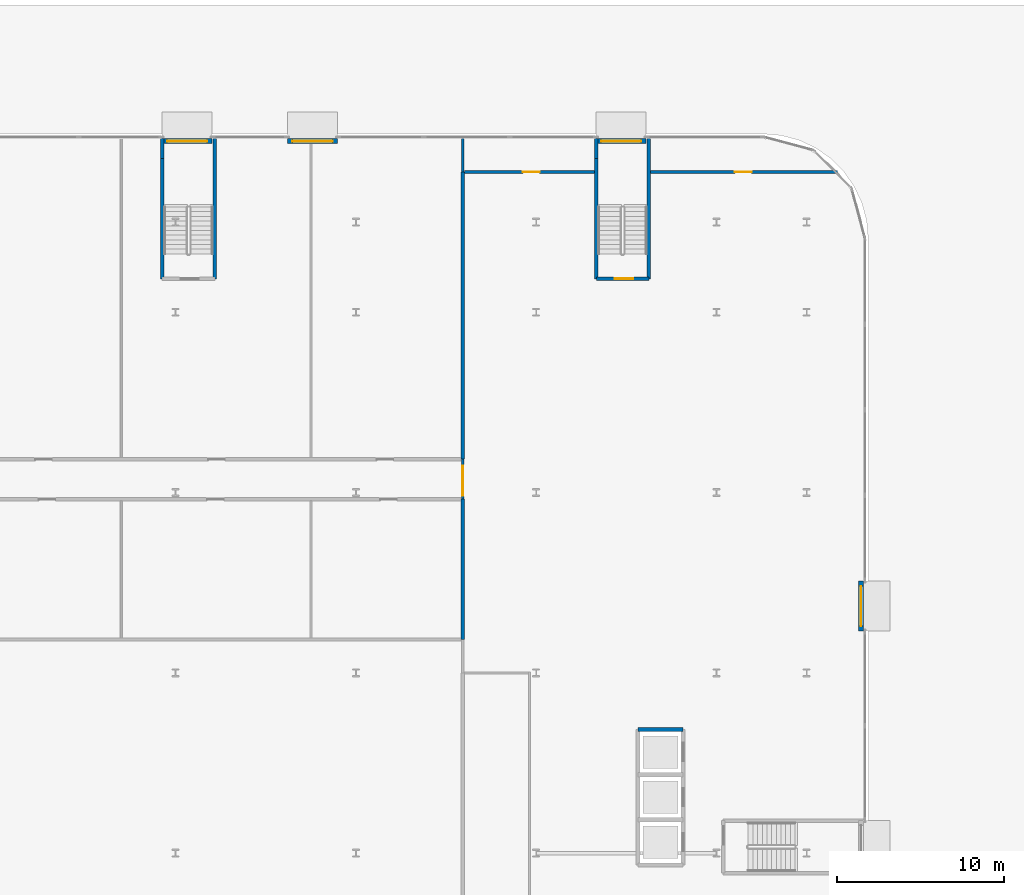
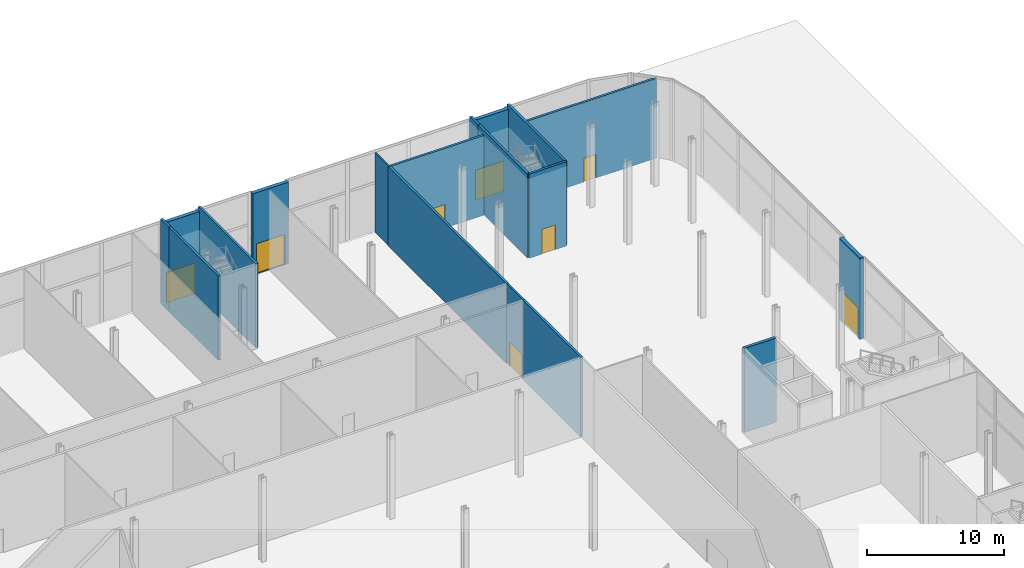
# One storey, part 32 of 46: 18 walls, 8 doors, 8 openings.
"""IFC4 building model written with IfcOpenShell, lengths in metres."""

import ifcopenshell
import ifcopenshell.guid

model = None  # the IFC model being written
_history = None  # IfcOwnerHistory: only IFC2X3 demands one
_inside = {}  # id of a spatial element -> (the spatial element, [elements in it])
_under = {}  # id of a project, library or spatial element -> (it, [spatial elements below it])
_declared = {}  # id of a project -> (the project, [libraries it declares])
_typed = {}  # id of a type object -> (the type object, [elements of that type])
_made_of = {}  # id of a material, layer set ... -> (it, [elements and type objects made of it])


def new_model(schema):
    """Start an empty IFC model of exactly this schema.

    Asked for "IFC4X3", IfcOpenShell would pick the latest addendum, in which some entities
    have other attributes; the version numbers below select the first issue.
    IFC2X3 requires an IfcOwnerHistory on every rooted entity: one is made here for all.
    """
    global model, _history
    if schema == "IFC4X3":
        model = ifcopenshell.file(schema_version=(4, 3, 0, 0))
    else:
        model = ifcopenshell.file(schema=schema)
    _inside.clear()
    _under.clear()
    _declared.clear()
    _typed.clear()
    _made_of.clear()
    _history = None
    if model.schema == "IFC2X3":
        org = make("IfcOrganization", Name="unknown")
        user = make(
            "IfcPersonAndOrganization",
            ThePerson=make("IfcPerson", FamilyName="unknown"),
            TheOrganization=org,
        )
        app = make(
            "IfcApplication",
            ApplicationDeveloper=org,
            Version="unknown",
            ApplicationFullName="unknown",
            ApplicationIdentifier="unknown",
        )
        _history = make(
            "IfcOwnerHistory",
            OwningUser=user,
            OwningApplication=app,
            ChangeAction="ADDED",
            CreationDate=0,
        )
    return model


def make(cls, **values):
    """One entity of the class cls with the attributes given. An attribute that is None is left unset."""
    return model.create_entity(
        cls, **{name: value for name, value in values.items() if value is not None}
    )


def rooted(cls, **values):
    """An entity with a GlobalId (a new one), such as an element, a storey or a relation."""
    return make(cls, GlobalId=ifcopenshell.guid.new(), OwnerHistory=_history, **values)


def si_unit(unit_type, name, prefix=None):
    """IfcSIUnit, for example si_unit("LENGTHUNIT", "METRE", prefix="MILLI")."""
    return make("IfcSIUnit", UnitType=unit_type, Prefix=prefix, Name=name)


def assignment(units):
    """IfcUnitAssignment: the units of a project."""
    return None if units is None else make("IfcUnitAssignment", Units=units)


def point(xyz):
    """IfcCartesianPoint."""
    return None if xyz is None else make("IfcCartesianPoint", Coordinates=xyz)


def direction(xyz):
    """IfcDirection."""
    return None if xyz is None else make("IfcDirection", DirectionRatios=xyz)


def frame(location, z_axis=None, x_axis=None):
    """IfcAxis2Placement3D, a coordinate frame: its origin and axes. An axis left out is left unset."""
    return make(
        "IfcAxis2Placement3D",
        Location=point(location),
        Axis=direction(z_axis),
        RefDirection=direction(x_axis),
    )


def frame_2d(location, x_axis=None):
    """IfcAxis2Placement2D, a coordinate frame in the plane: its origin and x axis."""
    return make(
        "IfcAxis2Placement2D", Location=point(location), RefDirection=direction(x_axis)
    )


def origin():
    """The frame at (0, 0, 0) with its axes left unset."""
    return frame((0.0, 0.0, 0.0))


def place(relative_to, where):
    """IfcLocalPlacement: puts the frame where relative to a parent placement (None: the world)."""
    return make(
        "IfcLocalPlacement", PlacementRelTo=relative_to, RelativePlacement=where
    )


def context(
    kind, dimensions, precision=None, world=None, true_north=None, identifier=None
):
    """IfcGeometricRepresentationContext, for example the 3D "Model" context."""
    return make(
        "IfcGeometricRepresentationContext",
        ContextIdentifier=identifier,
        ContextType=kind,
        CoordinateSpaceDimension=dimensions,
        Precision=precision,
        WorldCoordinateSystem=world,
        TrueNorth=true_north,
    )


def subcontext(parent, identifier, kind, view, scale=None):
    """IfcGeometricRepresentationSubContext, for example "Body" below "Model"."""
    return make(
        "IfcGeometricRepresentationSubContext",
        ContextIdentifier=identifier,
        ContextType=kind,
        ParentContext=parent,
        TargetScale=scale,
        TargetView=view,
    )


def project(units=None, contexts=None):
    """IfcProject with its units and contexts."""
    return rooted(
        "IfcProject",
        Name="project",
        RepresentationContexts=contexts,
        UnitsInContext=assignment(units),
    )


def spatial(cls, under=None, at=None, **own):
    """A site, building, storey or space (cls), placed at a placement, below another one or the project."""
    s = rooted(cls, ObjectPlacement=at, **own)
    if under is not None:
        _under.setdefault(under.id(), (under, []))[1].append(s)
    return s


def profile(cls, at=None, kind="AREA", **sizes):
    """A parametric profile (cls). Its sizes go by their IFC names, for example OverallWidth=200.0."""
    return make(cls, ProfileType=kind, Position=at, **sizes)


def rectangle(**sizes):
    """IfcRectangleProfileDef."""
    return profile("IfcRectangleProfileDef", **sizes)


def extrude(swept, where, along, depth):
    """IfcExtrudedAreaSolid: the profile swept, set in the frame where, extruded along a direction by depth."""
    return make(
        "IfcExtrudedAreaSolid",
        SweptArea=swept,
        Position=where,
        ExtrudedDirection=direction(along),
        Depth=depth,
    )


def shape(context_of_items, identifier, shape_type, items):
    """IfcShapeRepresentation: the items that make up one representation, for example the "Body"."""
    return make(
        "IfcShapeRepresentation",
        ContextOfItems=context_of_items,
        RepresentationIdentifier=identifier,
        RepresentationType=shape_type,
        Items=items,
    )


def source(mapping_origin, context_of_items, identifier, shape_type, items):
    """IfcRepresentationMap: a shape defined once, which mapped items show again and again."""
    return make(
        "IfcRepresentationMap",
        MappingOrigin=mapping_origin,
        MappedRepresentation=shape(context_of_items, identifier, shape_type, items),
    )


def transform(
    local_origin,
    x_axis=None,
    y_axis=None,
    z_axis=None,
    scale=None,
    scale2=None,
    scale3=None,
    uniform=True,
):
    """IfcCartesianTransformationOperator3D, or its non-uniform kind. x_axis, y_axis, z_axis: its Axis1, 2, 3."""
    if uniform:
        return make(
            "IfcCartesianTransformationOperator3D",
            Axis1=direction(x_axis),
            Axis2=direction(y_axis),
            LocalOrigin=point(local_origin),
            Scale=scale,
            Axis3=direction(z_axis),
        )
    return make(
        "IfcCartesianTransformationOperator3DnonUniform",
        Axis1=direction(x_axis),
        Axis2=direction(y_axis),
        LocalOrigin=point(local_origin),
        Scale=scale,
        Axis3=direction(z_axis),
        Scale2=scale2,
        Scale3=scale3,
    )


def mapped(mapping_source, mapping_target):
    """IfcMappedItem: shows the shape of a source again, moved by a transform."""
    return make(
        "IfcMappedItem", MappingSource=mapping_source, MappingTarget=mapping_target
    )


def material(Name=None, Category=None):
    """IfcMaterial."""
    return make("IfcMaterial", Name=Name, Category=Category)


def layer(
    of_material, thickness, ventilated=None, Name=None, Category=None, Priority=None
):
    """IfcMaterialLayer: one layer of a wall or slab, of a material (None: an air gap)."""
    return make(
        "IfcMaterialLayer",
        Material=of_material,
        LayerThickness=thickness,
        IsVentilated=ventilated,
        Name=Name,
        Category=Category,
        Priority=Priority,
    )


def layer_set(layers, Name=None):
    """IfcMaterialLayerSet."""
    return make("IfcMaterialLayerSet", MaterialLayers=layers, LayerSetName=Name)


def made_of(thing, what):
    """Note that an element or type object is made of a material, layer set ...; save() writes the relation."""
    if what is not None:
        _made_of.setdefault(what.id(), (what, []))[1].append(thing)
    return thing


def type_object(cls, material=None, **own):
    """A type object (cls), such as IfcWallType, which elements share."""
    return made_of(rooted(cls, **own), material)


def element(
    cls,
    number,
    at=None,
    inside=None,
    cuts=None,
    type_object=None,
    material=None,
    context=None,
    identifier="Body",
    shape_type=None,
    held_by="IfcProductDefinitionShape",
    body=None,
    shapes=None,
    **own,
):
    """One element of the class cls, such as IfcWall. Its Tag is "e" and its number.

    at: its placement. inside: the storey or other place that contains it. cuts: it is an
    opening in that element (IfcRelVoidsElement). A single representation is given by context,
    identifier, shape_type and body (its items); several are given by shapes. held_by: the class
    of the entity that holds the representations. save() writes the other relations.
    """
    e = rooted(cls, Tag="e%d" % number, ObjectPlacement=at, **own)
    if body is not None:
        shapes = [shape(context, identifier, shape_type, body)]
    if shapes is not None:
        e.Representation = make(held_by, Representations=shapes)
    if inside is not None:
        _inside.setdefault(inside.id(), (inside, []))[1].append(e)
    if cuts is not None:
        rooted(
            "IfcRelVoidsElement", RelatingBuildingElement=cuts, RelatedOpeningElement=e
        )
    if type_object is not None:
        _typed.setdefault(type_object.id(), (type_object, []))[1].append(e)
    return made_of(e, material)


def fill(opening, filler):
    """IfcRelFillsElement: the door or window that sits in an opening."""
    return rooted(
        "IfcRelFillsElement",
        RelatingOpeningElement=opening,
        RelatedBuildingElement=filler,
    )


def aggregate(whole, parts):
    """IfcRelAggregates: a whole, such as a stair, and the parts it consists of."""
    return rooted("IfcRelAggregates", RelatingObject=whole, RelatedObjects=parts)


def save(model, path):
    """Write the relations noted so far, then the file.

    IfcRelAggregates (storeys below a building ...), IfcRelContainedInSpatialStructure (elements
    in a storey), IfcRelDefinesByType, IfcRelAssociatesMaterial and IfcRelDeclares: one each for
    every whole, place, type object, material and project.
    """
    for whole, parts in _under.values():
        aggregate(whole, parts)
    for where, things in _inside.values():
        rooted(
            "IfcRelContainedInSpatialStructure",
            RelatedElements=things,
            RelatingStructure=where,
        )
    for kind, things in _typed.values():
        rooted("IfcRelDefinesByType", RelatedObjects=things, RelatingType=kind)
    for what, things in _made_of.values():
        rooted("IfcRelAssociatesMaterial", RelatedObjects=things, RelatingMaterial=what)
    for by, libraries in _declared.values():
        rooted("IfcRelDeclares", RelatingContext=by, RelatedDefinitions=libraries)
    model.write(path)


model = new_model("IFC4")

# Units and contexts
model_context = context("Model", 3, precision=1e-05, world=origin(), true_north=direction((0.0, 1.0)))
body_context = subcontext(model_context, "Body", "Model", "MODEL_VIEW")
ifc_project = project(units=[si_unit("LENGTHUNIT", "METRE"), si_unit("AREAUNIT", "SQUARE_METRE"), si_unit("VOLUMEUNIT", "CUBIC_METRE"), si_unit("PLANEANGLEUNIT", "RADIAN"), si_unit("MASSUNIT", "GRAM", prefix="KILO")], contexts=[model_context])

# Site, building, storey
site_placement = place(None, origin())
site = spatial("IfcSite", under=ifc_project, at=site_placement, CompositionType="ELEMENT")
building_placement = place(site_placement, origin())
building = spatial("IfcBuilding", under=site, at=building_placement, Name="Kheshtan School and Residences Tower", CompositionType="ELEMENT")
storey_placement = place(building_placement, origin())
storey = spatial("IfcBuildingStorey", under=building, at=storey_placement, Name="L00", CompositionType="ELEMENT", Elevation=0.0)

# Wall, opening, door
ifc_material_1 = material(Name="Gypsum board on steel studs with mineral wool", Category="steel")
ifc_layer_1 = layer(ifc_material_1, 0.125)
ifc_layer_set_1 = layer_set([ifc_layer_1], Name="Acoustic partition 125")
wall_type_1 = type_object("IfcWallType", Name="Acoustic partition 125", PredefinedType="PARTITIONING", material=ifc_layer_set_1)
wall_1_placement = place(storey_placement, frame((108.0, 88.39990234375, 0.0), z_axis=(0.0, 0.0, 1.0), x_axis=(0.0, 1.0, 0.0)))
wall_1 = element("IfcWall", 1, at=wall_1_placement, inside=storey, type_object=wall_type_1, Name="Partition L00-062", PredefinedType="PARTITIONING", context=body_context, shape_type="SweptSolid", body=[
    extrude(rectangle(XDim=2.400146484375, YDim=0.125, at=frame_2d((1.2001953125, 0.0))), origin(), (0.0, 0.0, 1.0), 7.080078125),
])
opening_1_placement = place(wall_1_placement, frame((0.199951171875, 0.0, 0.0)))
opening_1 = element("IfcOpeningElement", 2, at=opening_1_placement, cuts=wall_1, Name="Opening D00-029", PredefinedType="OPENING", context=body_context, shape_type="SweptSolid", body=[
    extrude(rectangle(XDim=1.800048828125, YDim=2.10009765625, at=frame_2d((0.89990234375, 1.050048828125))), frame((0.0, 0.072509765625, 0.0), z_axis=(0.0, -1.0, 0.0), x_axis=(1.0, 0.0, 0.0)), (0.0, 0.0, 1.0), 0.14501953125),
])
ifc_material_2 = material(Name="Veneered timber door leaf", Category="wood")
door_type_1 = type_object("IfcDoorType", Name="Double door 1800 x 2100", OperationType="DOUBLE_DOOR_SINGLE_SWING", PredefinedType="DOOR", material=ifc_material_2)
shared_shape_1 = source(origin(), body_context, "Body", "SweptSolid", [
    extrude(rectangle(XDim=1.800048828125, YDim=2.10009765625, at=frame_2d((0.89990234375, 1.050048828125))), frame((0.0, 0.02490234375, 0.0), z_axis=(0.0, -1.0, 0.0), x_axis=(1.0, 0.0, 0.0)), (0.0, 0.0, 1.0), 0.050048828125),
])
door_1_placement = place(opening_1_placement, origin())
door_1 = element("IfcDoor", 3, at=door_1_placement, inside=storey, type_object=door_type_1, Name="Door D00-029", OperationType="DOUBLE_DOOR_SINGLE_SWING", OverallHeight=2.10009765625, OverallWidth=1.800048828125, PredefinedType="DOOR", context=body_context, shape_type="MappedRepresentation", body=[
    mapped(shared_shape_1, transform((0.0, 0.0, 0.0), x_axis=(1.0, 0.0, 0.0), y_axis=(0.0, 1.0, 0.0), z_axis=(0.0, 0.0, 1.0), scale=1.0)),
])
fill(opening_1, door_1)

# Walls
wall_2_placement = place(storey_placement, frame((108.0, 108.0, 0.0), z_axis=(0.0, 0.0, 1.0), x_axis=(0.0, 1.0, 0.0)))
element("IfcWall", 4, at=wall_2_placement, inside=storey, type_object=wall_type_1, Name="Partition L00-064", PredefinedType="PARTITIONING", context=body_context, shape_type="SweptSolid", body=[
    extrude(rectangle(XDim=2.0, YDim=0.125, at=frame_2d((1.0, 0.0))), origin(), (0.0, 0.0, 1.0), 7.080078125),
])
ifc_material_3 = material(Name="Gypsum board on steel studs with fire boards", Category="steel")
ifc_layer_2 = layer(ifc_material_3, 0.199951171875)
ifc_layer_set_2 = layer_set([ifc_layer_2], Name="Corridor wall 200")
wall_type_2 = type_object("IfcWallType", Name="Corridor wall 200", PredefinedType="PARTITIONING", material=ifc_layer_set_2)
wall_3_placement = place(storey_placement, frame((108.0, 80.0, 0.0), z_axis=(0.0, 0.0, 1.0), x_axis=(0.0, 1.0, 0.0)))
element("IfcWall", 5, at=wall_3_placement, inside=storey, type_object=wall_type_2, Name="Partition L00-061", PredefinedType="PARTITIONING", context=body_context, shape_type="SweptSolid", body=[
    extrude(rectangle(XDim=8.39990234375, YDim=0.199951171875, at=frame_2d((4.199951171875, 0.0))), origin(), (0.0, 0.0, 1.0), 7.080078125),
])
wall_4_placement = place(storey_placement, frame((108.0, 90.800048828125, 0.0), z_axis=(0.0, 0.0, 1.0), x_axis=(0.0, 1.0, 0.0)))
element("IfcWall", 6, at=wall_4_placement, inside=storey, type_object=wall_type_2, Name="Partition L00-063", PredefinedType="PARTITIONING", context=body_context, shape_type="SweptSolid", body=[
    extrude(rectangle(XDim=17.199951171875, YDim=0.199951171875, at=frame_2d((8.60009765625, 0.0))), origin(), (0.0, 0.0, 1.0), 7.080078125),
])

# Wall, opening, door
wall_5_placement = place(storey_placement, frame((108.10009765625, 108.0, 0.0), z_axis=(0.0, 0.0, 1.0), x_axis=(1.0, 0.0, 0.0)))
wall_5 = element("IfcWall", 7, at=wall_5_placement, inside=storey, type_object=wall_type_2, Name="Partition L00-066", PredefinedType="PARTITIONING", context=body_context, shape_type="SweptSolid", body=[
    extrude(rectangle(XDim=7.80078125, YDim=0.199951171875, at=frame_2d((3.900390625, 0.0))), origin(), (0.0, 0.0, 1.0), 7.080078125),
])
opening_2_placement = place(wall_5_placement, frame((3.5, 0.0, 0.0)))
opening_2 = element("IfcOpeningElement", 8, at=opening_2_placement, cuts=wall_5, Name="Opening D00-045", PredefinedType="OPENING", context=body_context, shape_type="SweptSolid", body=[
    extrude(rectangle(XDim=1.0, YDim=2.10009765625, at=frame_2d((0.5, 1.050048828125))), frame((0.0, 0.10986328125, 0.0), z_axis=(0.0, -1.0, 0.0), x_axis=(1.0, 0.0, 0.0)), (0.0, 0.0, 1.0), 0.219970703125),
])
ifc_material_4 = material(Name="Steel-framed fire-resisting door leaf", Category="steel")
door_type_2 = type_object("IfcDoorType", Name="Fire door FD60 1000 x 2100", OperationType="SINGLE_SWING_LEFT", PredefinedType="DOOR", material=ifc_material_4)
shared_shape_2 = source(origin(), body_context, "Body", "SweptSolid", [
    extrude(rectangle(XDim=1.0, YDim=2.10009765625, at=frame_2d((0.5, 1.050048828125))), frame((0.0, 0.02490234375, 0.0), z_axis=(0.0, -1.0, 0.0), x_axis=(1.0, 0.0, 0.0)), (0.0, 0.0, 1.0), 0.050048828125),
])
door_2_placement = place(opening_2_placement, origin())
door_2 = element("IfcDoor", 9, at=door_2_placement, inside=storey, type_object=door_type_2, Name="Door D00-045", OperationType="SINGLE_SWING_LEFT", OverallHeight=2.10009765625, OverallWidth=1.0, PredefinedType="DOOR", context=body_context, shape_type="MappedRepresentation", body=[
    mapped(shared_shape_2, transform((0.0, 0.0, 0.0), x_axis=(1.0, 0.0, 0.0), y_axis=(0.0, 1.0, 0.0), z_axis=(0.0, 0.0, 1.0), scale=1.0)),
])
fill(opening_2, door_2)

wall_6_placement = place(storey_placement, frame((119.2490234375, 108.0, 0.0), z_axis=(0.0, 0.0, 1.0), x_axis=(1.0, 0.0, 0.0)))
wall_6 = element("IfcWall", 10, at=wall_6_placement, inside=storey, type_object=wall_type_2, Name="Partition L00-075", PredefinedType="PARTITIONING", context=body_context, shape_type="SweptSolid", body=[
    extrude(rectangle(XDim=11.203857421875, YDim=0.199951171875, at=frame_2d((5.60205078125, 0.0))), origin(), (0.0, 0.0, 1.0), 7.080078125),
])
opening_3_placement = place(wall_6_placement, frame((5.053955078125, 0.0, 0.0)))
opening_3 = element("IfcOpeningElement", 11, at=opening_3_placement, cuts=wall_6, Name="Opening D00-046", PredefinedType="OPENING", context=body_context, shape_type="SweptSolid", body=[
    extrude(rectangle(XDim=1.0, YDim=2.10009765625, at=frame_2d((0.5, 1.050048828125))), frame((0.0, 0.10986328125, 0.0), z_axis=(0.0, -1.0, 0.0), x_axis=(1.0, 0.0, 0.0)), (0.0, 0.0, 1.0), 0.219970703125),
])
door_3_placement = place(opening_3_placement, origin())
door_3 = element("IfcDoor", 12, at=door_3_placement, inside=storey, type_object=door_type_2, Name="Door D00-046", OperationType="SINGLE_SWING_LEFT", OverallHeight=2.10009765625, OverallWidth=1.0, PredefinedType="DOOR", context=body_context, shape_type="MappedRepresentation", body=[
    mapped(shared_shape_2, transform((0.0, 0.0, 0.0), x_axis=(1.0, 0.0, 0.0), y_axis=(0.0, 1.0, 0.0), z_axis=(0.0, 0.0, 1.0), scale=1.0)),
])
fill(opening_3, door_3)

ifc_material_5 = material(Name="Concrete C40/50 with ceramic cladding and mineral wool insulation", Category="concrete")
ifc_layer_3 = layer(ifc_material_5, 0.300048828125)
ifc_layer_set_3 = layer_set([ifc_layer_3], Name="Podium external wall 300")
wall_type_3 = type_object("IfcWallType", Name="Podium external wall 300", PredefinedType="SOLIDWALL", material=ifc_layer_set_3)
wall_7_placement = place(storey_placement, frame((89.989990234375, 109.85009765625, 0.0), z_axis=(0.0, 0.0, 1.0), x_axis=(1.0, 0.0, 0.0)))
wall_7 = element("IfcWall", 13, at=wall_7_placement, inside=storey, type_object=wall_type_3, Name="Podium external wall L00 4.7", PredefinedType="SOLIDWALL", context=body_context, shape_type="SweptSolid", body=[
    extrude(rectangle(XDim=3.0, YDim=0.300048828125, at=frame_2d((1.5, 0.0))), origin(), (0.0, 0.0, 1.0), 7.25),
])
opening_4_placement = place(wall_7_placement, frame((0.300048828125, 0.0, 0.0)))
opening_4 = element("IfcOpeningElement", 14, at=opening_4_placement, cuts=wall_7, Name="Opening ED", PredefinedType="OPENING", context=body_context, shape_type="SweptSolid", body=[
    extrude(rectangle(XDim=2.39990234375, YDim=2.699951171875, at=frame_2d((1.199951171875, 1.35009765625))), frame((0.0, 0.16015625, 0.0), z_axis=(0.0, -1.0, 0.0), x_axis=(1.0, 0.0, 0.0)), (0.0, 0.0, 1.0), 0.320068359375),
])
ifc_material_6 = material(Name="Clear low-e glass in thermally broken aluminium frame", Category="aluminium")
door_type_3 = type_object("IfcDoorType", Name="Entrance double door", OperationType="DOUBLE_DOOR_SINGLE_SWING", PredefinedType="DOOR", material=ifc_material_6)
shared_shape_3 = source(origin(), body_context, "Body", "SweptSolid", [
    extrude(rectangle(XDim=2.39990234375, YDim=2.699951171875, at=frame_2d((1.199951171875, 1.35009765625))), frame((0.0, 0.02490234375, 0.0), z_axis=(0.0, -1.0, 0.0), x_axis=(1.0, 0.0, 0.0)), (0.0, 0.0, 1.0), 0.050048828125),
])
door_4_placement = place(opening_4_placement, origin())
door_4 = element("IfcDoor", 15, at=door_4_placement, inside=storey, type_object=door_type_3, Name="Entrance door 4.7", OperationType="DOUBLE_DOOR_SINGLE_SWING", OverallHeight=2.699951171875, OverallWidth=2.39990234375, PredefinedType="DOOR", context=body_context, shape_type="MappedRepresentation", body=[
    mapped(shared_shape_3, transform((0.0, 0.0, 0.0), x_axis=(1.0, 0.0, 0.0), y_axis=(0.0, 1.0, 0.0), z_axis=(0.0, 0.0, 1.0), scale=1.0)),
])
fill(opening_4, door_4)

wall_8_placement = place(storey_placement, frame((97.5, 109.85009765625, 0.0), z_axis=(0.0, 0.0, 1.0), x_axis=(1.0, 0.0, 0.0)))
wall_8 = element("IfcWall", 16, at=wall_8_placement, inside=storey, type_object=wall_type_3, Name="Podium external wall L00 4.9", PredefinedType="SOLIDWALL", context=body_context, shape_type="SweptSolid", body=[
    extrude(rectangle(XDim=3.0, YDim=0.300048828125, at=frame_2d((1.5, 0.0))), origin(), (0.0, 0.0, 1.0), 7.25),
])
opening_5_placement = place(wall_8_placement, frame((0.300048828125, 0.0, 0.0)))
opening_5 = element("IfcOpeningElement", 17, at=opening_5_placement, cuts=wall_8, Name="Opening ED", PredefinedType="OPENING", context=body_context, shape_type="SweptSolid", body=[
    extrude(rectangle(XDim=2.39990234375, YDim=2.699951171875, at=frame_2d((1.199951171875, 1.35009765625))), frame((0.0, 0.16015625, 0.0), z_axis=(0.0, -1.0, 0.0), x_axis=(1.0, 0.0, 0.0)), (0.0, 0.0, 1.0), 0.320068359375),
])
door_5_placement = place(opening_5_placement, origin())
door_5 = element("IfcDoor", 18, at=door_5_placement, inside=storey, type_object=door_type_3, Name="Entrance door 4.9", OperationType="DOUBLE_DOOR_SINGLE_SWING", OverallHeight=2.699951171875, OverallWidth=2.39990234375, PredefinedType="DOOR", context=body_context, shape_type="MappedRepresentation", body=[
    mapped(shared_shape_3, transform((0.0, 0.0, 0.0), x_axis=(1.0, 0.0, 0.0), y_axis=(0.0, 1.0, 0.0), z_axis=(0.0, 0.0, 1.0), scale=1.0)),
])
fill(opening_5, door_5)

wall_9_placement = place(storey_placement, frame((115.989990234375, 109.85009765625, 0.0), z_axis=(0.0, 0.0, 1.0), x_axis=(1.0, 0.0, 0.0)))
wall_9 = element("IfcWall", 19, at=wall_9_placement, inside=storey, type_object=wall_type_3, Name="Podium external wall L00 4.11", PredefinedType="SOLIDWALL", context=body_context, shape_type="SweptSolid", body=[
    extrude(rectangle(XDim=3.0, YDim=0.300048828125, at=frame_2d((1.5, 0.0))), origin(), (0.0, 0.0, 1.0), 7.25),
])
opening_6_placement = place(wall_9_placement, frame((0.300048828125, 0.0, 0.0)))
opening_6 = element("IfcOpeningElement", 20, at=opening_6_placement, cuts=wall_9, Name="Opening ED", PredefinedType="OPENING", context=body_context, shape_type="SweptSolid", body=[
    extrude(rectangle(XDim=2.39990234375, YDim=2.699951171875, at=frame_2d((1.199951171875, 1.35009765625))), frame((0.0, 0.16015625, 0.0), z_axis=(0.0, -1.0, 0.0), x_axis=(1.0, 0.0, 0.0)), (0.0, 0.0, 1.0), 0.320068359375),
])
door_6_placement = place(opening_6_placement, origin())
door_6 = element("IfcDoor", 21, at=door_6_placement, inside=storey, type_object=door_type_3, Name="Entrance door 4.11", OperationType="DOUBLE_DOOR_SINGLE_SWING", OverallHeight=2.699951171875, OverallWidth=2.39990234375, PredefinedType="DOOR", context=body_context, shape_type="MappedRepresentation", body=[
    mapped(shared_shape_3, transform((0.0, 0.0, 0.0), x_axis=(1.0, 0.0, 0.0), y_axis=(0.0, 1.0, 0.0), z_axis=(0.0, 0.0, 1.0), scale=1.0)),
])
fill(opening_6, door_6)

wall_10_placement = place(storey_placement, frame((131.85009765625, 83.5, 0.0), z_axis=(0.0, 0.0, 1.0), x_axis=(0.0, -1.0, 0.0)))
wall_10 = element("IfcWall", 22, at=wall_10_placement, inside=storey, type_object=wall_type_3, Name="Podium external wall L00 8.1", PredefinedType="SOLIDWALL", context=body_context, shape_type="SweptSolid", body=[
    extrude(rectangle(XDim=3.0, YDim=0.300048828125, at=frame_2d((1.5, 0.0))), origin(), (0.0, 0.0, 1.0), 7.25),
])
opening_7_placement = place(wall_10_placement, frame((0.300048828125, 0.0, 0.0)))
opening_7 = element("IfcOpeningElement", 23, at=opening_7_placement, cuts=wall_10, Name="Opening ED", PredefinedType="OPENING", context=body_context, shape_type="SweptSolid", body=[
    extrude(rectangle(XDim=2.39990234375, YDim=2.699951171875, at=frame_2d((1.199951171875, 1.35009765625))), frame((0.0, 0.16015625, 0.0), z_axis=(0.0, -1.0, 0.0), x_axis=(1.0, 0.0, 0.0)), (0.0, 0.0, 1.0), 0.320068359375),
])
door_7_placement = place(opening_7_placement, origin())
door_7 = element("IfcDoor", 24, at=door_7_placement, inside=storey, type_object=door_type_3, Name="Entrance door 8.1", OperationType="DOUBLE_DOOR_SINGLE_SWING", OverallHeight=2.699951171875, OverallWidth=2.39990234375, PredefinedType="DOOR", context=body_context, shape_type="MappedRepresentation", body=[
    mapped(shared_shape_3, transform((0.0, 0.0, 0.0), x_axis=(1.0, 0.0, 0.0), y_axis=(0.0, 1.0, 0.0), z_axis=(0.0, 0.0, 1.0), scale=1.0)),
])
fill(opening_7, door_7)

# Walls
ifc_material_7 = material(Name="Fire-board shaft wall system")
ifc_layer_4 = layer(ifc_material_7, 0.25)
ifc_layer_set_4 = layer_set([ifc_layer_4], Name="Shaft lining wall 250")
wall_type_4 = type_object("IfcWallType", Name="Shaft lining wall 250", PredefinedType="PARTITIONING", material=ifc_layer_set_4)
wall_11_placement = place(storey_placement, frame((118.5, 74.60009765625, 0.0), z_axis=(0.0, 0.0, 1.0), x_axis=(1.0, 0.0, 0.0)))
element("IfcWall", 25, at=wall_11_placement, inside=storey, type_object=wall_type_4, Name="Shaft lining wall", PredefinedType="PARTITIONING", context=body_context, shape_type="SweptSolid", body=[
    extrude(rectangle(XDim=2.699951171875, YDim=0.25, at=frame_2d((1.35009765625, 0.0))), origin(), (0.0, 0.0, 1.0), 7.5),
])
ifc_material_8 = material(Name="Concrete C40/50", Category="concrete")
ifc_layer_5 = layer(ifc_material_8, 0.199951171875)
ifc_layer_set_5 = layer_set([ifc_layer_5], Name="Stair enclosure wall 200 Concrete C40/50")
wall_type_5 = type_object("IfcWallType", Name="Stair enclosure wall 200 Concrete C40/50", PredefinedType="SHEAR", material=ifc_layer_set_5)
wall_12_placement = place(storey_placement, frame((90.0, 101.60009765625, 0.0), z_axis=(0.0, 0.0, 1.0), x_axis=(0.0, 1.0, 0.0)))
element("IfcWall", 26, at=wall_12_placement, inside=storey, type_object=wall_type_5, Name="Stair enclosure wall", PredefinedType="SHEAR", context=body_context, shape_type="SweptSolid", body=[
    extrude(rectangle(XDim=7.199951171875, YDim=0.199951171875, at=frame_2d((3.60009765625, 0.0))), origin(), (0.0, 0.0, 1.0), 7.5),
])
wall_13_placement = place(storey_placement, frame((90.0, 108.800048828125, 0.0), z_axis=(0.0, 0.0, 1.0), x_axis=(0.0, 1.0, 0.0)))
element("IfcWall", 27, at=wall_13_placement, inside=storey, type_object=wall_type_5, Name="Stair enclosure wall", PredefinedType="SHEAR", context=body_context, shape_type="SweptSolid", body=[
    extrude(rectangle(XDim=1.199951171875, YDim=0.199951171875, at=frame_2d((0.60009765625, 0.0))), origin(), (0.0, 0.0, 1.0), 7.5),
])
wall_14_placement = place(storey_placement, frame((93.14990234375, 101.60009765625, 0.0), z_axis=(0.0, 0.0, 1.0), x_axis=(0.0, 1.0, 0.0)))
element("IfcWall", 28, at=wall_14_placement, inside=storey, type_object=wall_type_5, Name="Stair enclosure wall", PredefinedType="SHEAR", context=body_context, shape_type="SweptSolid", body=[
    extrude(rectangle(XDim=8.39990234375, YDim=0.199951171875, at=frame_2d((4.199951171875, 0.0))), origin(), (0.0, 0.0, 1.0), 7.5),
])

# Wall, opening, door
wall_15_placement = place(storey_placement, frame((116.0, 101.60009765625, 0.0), z_axis=(0.0, 0.0, 1.0), x_axis=(1.0, 0.0, 0.0)))
wall_15 = element("IfcWall", 29, at=wall_15_placement, inside=storey, type_object=wall_type_5, Name="Stair enclosure wall", PredefinedType="SHEAR", context=body_context, shape_type="SweptSolid", body=[
    extrude(rectangle(XDim=3.14990234375, YDim=0.199951171875, at=frame_2d((1.574951171875, 0.0))), origin(), (0.0, 0.0, 1.0), 7.5),
])
opening_8_placement = place(wall_15_placement, frame((1.10009765625, 0.0, 0.0)))
opening_8 = element("IfcOpeningElement", 30, at=opening_8_placement, cuts=wall_15, Name="Opening SD90", PredefinedType="OPENING", context=body_context, shape_type="SweptSolid", body=[
    extrude(rectangle(XDim=1.10009765625, YDim=2.199951171875, at=frame_2d((0.550048828125, 1.10009765625))), frame((0.0, 0.10986328125, 0.0), z_axis=(0.0, -1.0, 0.0), x_axis=(1.0, 0.0, 0.0)), (0.0, 0.0, 1.0), 0.219970703125),
])
ifc_material_9 = material(Name="Steel door leaf, galvanised", Category="steel")
door_type_4 = type_object("IfcDoorType", Name="Stair door 1100 steel 90 min", OperationType="SINGLE_SWING_LEFT", PredefinedType="DOOR", material=ifc_material_9)
shared_shape_4 = source(origin(), body_context, "Body", "SweptSolid", [
    extrude(rectangle(XDim=1.10009765625, YDim=2.199951171875, at=frame_2d((0.550048828125, 1.10009765625))), frame((0.0, 0.02490234375, 0.0), z_axis=(0.0, -1.0, 0.0), x_axis=(1.0, 0.0, 0.0)), (0.0, 0.0, 1.0), 0.050048828125),
])
door_8_placement = place(opening_8_placement, origin())
door_8 = element("IfcDoor", 31, at=door_8_placement, inside=storey, type_object=door_type_4, Name="Stair door", OperationType="SINGLE_SWING_RIGHT", OverallHeight=2.199951171875, OverallWidth=1.10009765625, PredefinedType="DOOR", context=body_context, shape_type="MappedRepresentation", body=[
    mapped(shared_shape_4, transform((0.0, 0.0, 0.0), x_axis=(1.0, 0.0, 0.0), y_axis=(0.0, 1.0, 0.0), z_axis=(0.0, 0.0, 1.0), scale=1.0)),
])
fill(opening_8, door_8)

# Walls
wall_16_placement = place(storey_placement, frame((116.0, 101.60009765625, 0.0), z_axis=(0.0, 0.0, 1.0), x_axis=(0.0, 1.0, 0.0)))
element("IfcWall", 32, at=wall_16_placement, inside=storey, type_object=wall_type_5, Name="Stair enclosure wall", PredefinedType="SHEAR", context=body_context, shape_type="SweptSolid", body=[
    extrude(rectangle(XDim=7.199951171875, YDim=0.199951171875, at=frame_2d((3.60009765625, 0.0))), origin(), (0.0, 0.0, 1.0), 7.5),
])
wall_17_placement = place(storey_placement, frame((116.0, 108.800048828125, 0.0), z_axis=(0.0, 0.0, 1.0), x_axis=(0.0, 1.0, 0.0)))
element("IfcWall", 33, at=wall_17_placement, inside=storey, type_object=wall_type_5, Name="Stair enclosure wall", PredefinedType="SHEAR", context=body_context, shape_type="SweptSolid", body=[
    extrude(rectangle(XDim=1.199951171875, YDim=0.199951171875, at=frame_2d((0.60009765625, 0.0))), origin(), (0.0, 0.0, 1.0), 7.5),
])
wall_18_placement = place(storey_placement, frame((119.14990234375, 101.60009765625, 0.0), z_axis=(0.0, 0.0, 1.0), x_axis=(0.0, 1.0, 0.0)))
element("IfcWall", 34, at=wall_18_placement, inside=storey, type_object=wall_type_5, Name="Stair enclosure wall", PredefinedType="SHEAR", context=body_context, shape_type="SweptSolid", body=[
    extrude(rectangle(XDim=8.39990234375, YDim=0.199951171875, at=frame_2d((4.199951171875, 0.0))), origin(), (0.0, 0.0, 1.0), 7.5),
])

save(model, "model.ifc")
